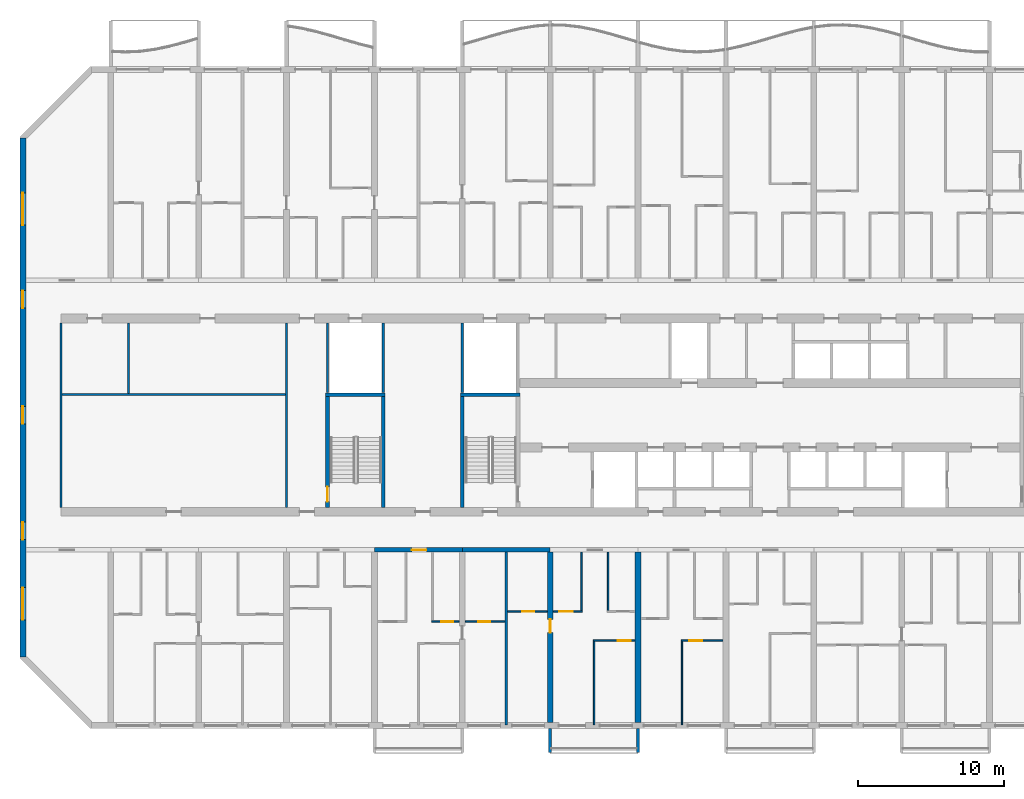
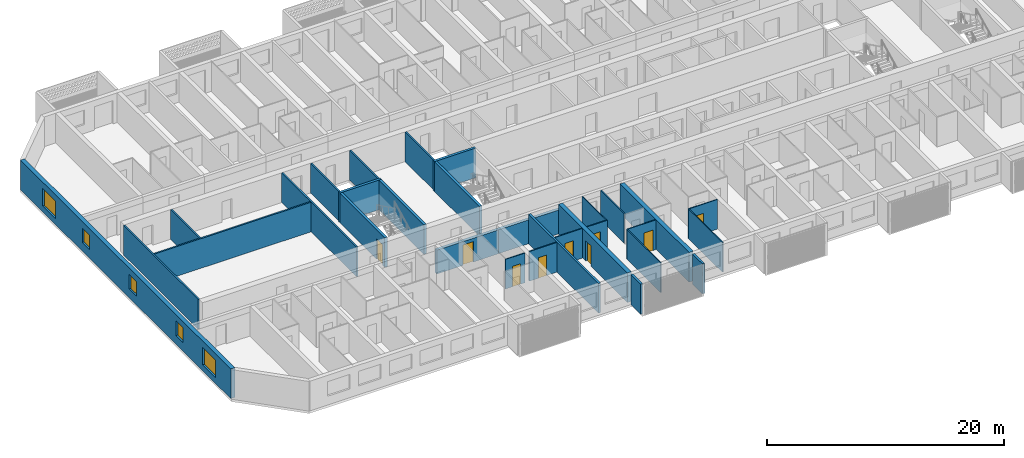
# One storey, part 4 of 44: 30 walls, 9 doors, 5 windows, 14 openings.
"""IFC4 building model written with IfcOpenShell, lengths in metres."""

import ifcopenshell
import ifcopenshell.guid

model = None  # the IFC model being written
_history = None  # IfcOwnerHistory: only IFC2X3 demands one
_inside = {}  # id of a spatial element -> (the spatial element, [elements in it])
_under = {}  # id of a project, library or spatial element -> (it, [spatial elements below it])
_declared = {}  # id of a project -> (the project, [libraries it declares])
_typed = {}  # id of a type object -> (the type object, [elements of that type])
_made_of = {}  # id of a material, layer set ... -> (it, [elements and type objects made of it])


def new_model(schema):
    """Start an empty IFC model of exactly this schema.

    Asked for "IFC4X3", IfcOpenShell would pick the latest addendum, in which some entities
    have other attributes; the version numbers below select the first issue.
    IFC2X3 requires an IfcOwnerHistory on every rooted entity: one is made here for all.
    """
    global model, _history
    if schema == "IFC4X3":
        model = ifcopenshell.file(schema_version=(4, 3, 0, 0))
    else:
        model = ifcopenshell.file(schema=schema)
    _inside.clear()
    _under.clear()
    _declared.clear()
    _typed.clear()
    _made_of.clear()
    _history = None
    if model.schema == "IFC2X3":
        org = make("IfcOrganization", Name="unknown")
        user = make(
            "IfcPersonAndOrganization",
            ThePerson=make("IfcPerson", FamilyName="unknown"),
            TheOrganization=org,
        )
        app = make(
            "IfcApplication",
            ApplicationDeveloper=org,
            Version="unknown",
            ApplicationFullName="unknown",
            ApplicationIdentifier="unknown",
        )
        _history = make(
            "IfcOwnerHistory",
            OwningUser=user,
            OwningApplication=app,
            ChangeAction="ADDED",
            CreationDate=0,
        )
    return model


def make(cls, **values):
    """One entity of the class cls with the attributes given. An attribute that is None is left unset."""
    return model.create_entity(
        cls, **{name: value for name, value in values.items() if value is not None}
    )


def rooted(cls, **values):
    """An entity with a GlobalId (a new one), such as an element, a storey or a relation."""
    return make(cls, GlobalId=ifcopenshell.guid.new(), OwnerHistory=_history, **values)


def si_unit(unit_type, name, prefix=None):
    """IfcSIUnit, for example si_unit("LENGTHUNIT", "METRE", prefix="MILLI")."""
    return make("IfcSIUnit", UnitType=unit_type, Prefix=prefix, Name=name)


def assignment(units):
    """IfcUnitAssignment: the units of a project."""
    return None if units is None else make("IfcUnitAssignment", Units=units)


def point(xyz):
    """IfcCartesianPoint."""
    return None if xyz is None else make("IfcCartesianPoint", Coordinates=xyz)


def direction(xyz):
    """IfcDirection."""
    return None if xyz is None else make("IfcDirection", DirectionRatios=xyz)


def frame(location, z_axis=None, x_axis=None):
    """IfcAxis2Placement3D, a coordinate frame: its origin and axes. An axis left out is left unset."""
    return make(
        "IfcAxis2Placement3D",
        Location=point(location),
        Axis=direction(z_axis),
        RefDirection=direction(x_axis),
    )


def frame_2d(location, x_axis=None):
    """IfcAxis2Placement2D, a coordinate frame in the plane: its origin and x axis."""
    return make(
        "IfcAxis2Placement2D", Location=point(location), RefDirection=direction(x_axis)
    )


def origin():
    """The frame at (0, 0, 0) with its axes left unset."""
    return frame((0.0, 0.0, 0.0))


def place(relative_to, where):
    """IfcLocalPlacement: puts the frame where relative to a parent placement (None: the world)."""
    return make(
        "IfcLocalPlacement", PlacementRelTo=relative_to, RelativePlacement=where
    )


def context(
    kind, dimensions, precision=None, world=None, true_north=None, identifier=None
):
    """IfcGeometricRepresentationContext, for example the 3D "Model" context."""
    return make(
        "IfcGeometricRepresentationContext",
        ContextIdentifier=identifier,
        ContextType=kind,
        CoordinateSpaceDimension=dimensions,
        Precision=precision,
        WorldCoordinateSystem=world,
        TrueNorth=true_north,
    )


def subcontext(parent, identifier, kind, view, scale=None):
    """IfcGeometricRepresentationSubContext, for example "Body" below "Model"."""
    return make(
        "IfcGeometricRepresentationSubContext",
        ContextIdentifier=identifier,
        ContextType=kind,
        ParentContext=parent,
        TargetScale=scale,
        TargetView=view,
    )


def project(units=None, contexts=None):
    """IfcProject with its units and contexts."""
    return rooted(
        "IfcProject",
        Name="project",
        RepresentationContexts=contexts,
        UnitsInContext=assignment(units),
    )


def spatial(cls, under=None, at=None, **own):
    """A site, building, storey or space (cls), placed at a placement, below another one or the project."""
    s = rooted(cls, ObjectPlacement=at, **own)
    if under is not None:
        _under.setdefault(under.id(), (under, []))[1].append(s)
    return s


def polyline(points):
    """IfcPolyline through the points."""
    return make("IfcPolyline", Points=[point(p) for p in points])


def profile(cls, at=None, kind="AREA", **sizes):
    """A parametric profile (cls). Its sizes go by their IFC names, for example OverallWidth=200.0."""
    return make(cls, ProfileType=kind, Position=at, **sizes)


def rectangle(**sizes):
    """IfcRectangleProfileDef."""
    return profile("IfcRectangleProfileDef", **sizes)


def outline(outer, holes=None, kind="AREA"):
    """IfcArbitraryClosedProfileDef: a profile drawn as a closed curve; with holes, ...WithVoids."""
    if holes is None:
        return make("IfcArbitraryClosedProfileDef", ProfileType=kind, OuterCurve=outer)
    return make(
        "IfcArbitraryProfileDefWithVoids",
        ProfileType=kind,
        OuterCurve=outer,
        InnerCurves=holes,
    )


def extrude(swept, where, along, depth):
    """IfcExtrudedAreaSolid: the profile swept, set in the frame where, extruded along a direction by depth."""
    return make(
        "IfcExtrudedAreaSolid",
        SweptArea=swept,
        Position=where,
        ExtrudedDirection=direction(along),
        Depth=depth,
    )


def shape(context_of_items, identifier, shape_type, items):
    """IfcShapeRepresentation: the items that make up one representation, for example the "Body"."""
    return make(
        "IfcShapeRepresentation",
        ContextOfItems=context_of_items,
        RepresentationIdentifier=identifier,
        RepresentationType=shape_type,
        Items=items,
    )


def source(mapping_origin, context_of_items, identifier, shape_type, items):
    """IfcRepresentationMap: a shape defined once, which mapped items show again and again."""
    return make(
        "IfcRepresentationMap",
        MappingOrigin=mapping_origin,
        MappedRepresentation=shape(context_of_items, identifier, shape_type, items),
    )


def transform(
    local_origin,
    x_axis=None,
    y_axis=None,
    z_axis=None,
    scale=None,
    scale2=None,
    scale3=None,
    uniform=True,
):
    """IfcCartesianTransformationOperator3D, or its non-uniform kind. x_axis, y_axis, z_axis: its Axis1, 2, 3."""
    if uniform:
        return make(
            "IfcCartesianTransformationOperator3D",
            Axis1=direction(x_axis),
            Axis2=direction(y_axis),
            LocalOrigin=point(local_origin),
            Scale=scale,
            Axis3=direction(z_axis),
        )
    return make(
        "IfcCartesianTransformationOperator3DnonUniform",
        Axis1=direction(x_axis),
        Axis2=direction(y_axis),
        LocalOrigin=point(local_origin),
        Scale=scale,
        Axis3=direction(z_axis),
        Scale2=scale2,
        Scale3=scale3,
    )


def mapped(mapping_source, mapping_target):
    """IfcMappedItem: shows the shape of a source again, moved by a transform."""
    return make(
        "IfcMappedItem", MappingSource=mapping_source, MappingTarget=mapping_target
    )


def material(Name=None, Category=None):
    """IfcMaterial."""
    return make("IfcMaterial", Name=Name, Category=Category)


def layer(
    of_material, thickness, ventilated=None, Name=None, Category=None, Priority=None
):
    """IfcMaterialLayer: one layer of a wall or slab, of a material (None: an air gap)."""
    return make(
        "IfcMaterialLayer",
        Material=of_material,
        LayerThickness=thickness,
        IsVentilated=ventilated,
        Name=Name,
        Category=Category,
        Priority=Priority,
    )


def layer_set(layers, Name=None):
    """IfcMaterialLayerSet."""
    return make("IfcMaterialLayerSet", MaterialLayers=layers, LayerSetName=Name)


def made_of(thing, what):
    """Note that an element or type object is made of a material, layer set ...; save() writes the relation."""
    if what is not None:
        _made_of.setdefault(what.id(), (what, []))[1].append(thing)
    return thing


def type_object(cls, material=None, **own):
    """A type object (cls), such as IfcWallType, which elements share."""
    return made_of(rooted(cls, **own), material)


def element(
    cls,
    number,
    at=None,
    inside=None,
    cuts=None,
    type_object=None,
    material=None,
    context=None,
    identifier="Body",
    shape_type=None,
    held_by="IfcProductDefinitionShape",
    body=None,
    shapes=None,
    **own,
):
    """One element of the class cls, such as IfcWall. Its Tag is "e" and its number.

    at: its placement. inside: the storey or other place that contains it. cuts: it is an
    opening in that element (IfcRelVoidsElement). A single representation is given by context,
    identifier, shape_type and body (its items); several are given by shapes. held_by: the class
    of the entity that holds the representations. save() writes the other relations.
    """
    e = rooted(cls, Tag="e%d" % number, ObjectPlacement=at, **own)
    if body is not None:
        shapes = [shape(context, identifier, shape_type, body)]
    if shapes is not None:
        e.Representation = make(held_by, Representations=shapes)
    if inside is not None:
        _inside.setdefault(inside.id(), (inside, []))[1].append(e)
    if cuts is not None:
        rooted(
            "IfcRelVoidsElement", RelatingBuildingElement=cuts, RelatedOpeningElement=e
        )
    if type_object is not None:
        _typed.setdefault(type_object.id(), (type_object, []))[1].append(e)
    return made_of(e, material)


def fill(opening, filler):
    """IfcRelFillsElement: the door or window that sits in an opening."""
    return rooted(
        "IfcRelFillsElement",
        RelatingOpeningElement=opening,
        RelatedBuildingElement=filler,
    )


def aggregate(whole, parts):
    """IfcRelAggregates: a whole, such as a stair, and the parts it consists of."""
    return rooted("IfcRelAggregates", RelatingObject=whole, RelatedObjects=parts)


def save(model, path):
    """Write the relations noted so far, then the file.

    IfcRelAggregates (storeys below a building ...), IfcRelContainedInSpatialStructure (elements
    in a storey), IfcRelDefinesByType, IfcRelAssociatesMaterial and IfcRelDeclares: one each for
    every whole, place, type object, material and project.
    """
    for whole, parts in _under.values():
        aggregate(whole, parts)
    for where, things in _inside.values():
        rooted(
            "IfcRelContainedInSpatialStructure",
            RelatedElements=things,
            RelatingStructure=where,
        )
    for kind, things in _typed.values():
        rooted("IfcRelDefinesByType", RelatedObjects=things, RelatingType=kind)
    for what, things in _made_of.values():
        rooted("IfcRelAssociatesMaterial", RelatedObjects=things, RelatingMaterial=what)
    for by, libraries in _declared.values():
        rooted("IfcRelDeclares", RelatingContext=by, RelatedDefinitions=libraries)
    model.write(path)


model = new_model("IFC4")

# Units and contexts
model_context = context("Model", 3, precision=1e-05, world=origin(), true_north=direction((0.0, 1.0)))
body_context = subcontext(model_context, "Body", "Model", "MODEL_VIEW")
ifc_project = project(units=[si_unit("LENGTHUNIT", "METRE"), si_unit("AREAUNIT", "SQUARE_METRE"), si_unit("VOLUMEUNIT", "CUBIC_METRE"), si_unit("PLANEANGLEUNIT", "RADIAN"), si_unit("MASSUNIT", "GRAM", prefix="KILO")], contexts=[model_context])

# Site, building, storey
site_placement = place(None, origin())
site = spatial("IfcSite", under=ifc_project, at=site_placement, CompositionType="ELEMENT")
building_placement = place(site_placement, origin())
building = spatial("IfcBuilding", under=site, at=building_placement, Name="Poui Terraces", CompositionType="ELEMENT")
storey_placement = place(building_placement, frame((0.0, 0.0, 30.0)))
storey = spatial("IfcBuildingStorey", under=building, at=storey_placement, Name="L07", CompositionType="ELEMENT", Elevation=30.0)

# Walls
ifc_material_1 = material(Name="Fire-rated plasterboard wall")
ifc_layer_1 = layer(ifc_material_1, 0.14990234375)
ifc_layer_set_1 = layer_set([ifc_layer_1], Name="Fire-rated plasterboard wall")
wall_type_1 = type_object("IfcWallType", Name="CORRIDOR WALL 150", PredefinedType="PARTITIONING", material=ifc_layer_set_1)
for number, where, z_axis, x_axis, name in (
    (1, (2.60009765625, 14.909912109375, 0.0), (0.0, 0.0, 1.0), (0.0, 1.0, 0.0), "CORRIDOR WALL 150"),
    (2, (18.0, 14.909912109375, 0.0), (0.0, 0.0, 1.0), (0.0, 1.0, 0.0), "CORRIDOR WALL 150"),
):
    element("IfcWall", number, at=place(storey_placement, frame(where, z_axis=z_axis, x_axis=x_axis)), inside=storey, type_object=wall_type_1, Name=name, PredefinedType="PARTITIONING", context=body_context, shape_type="SweptSolid", body=[
        extrude(rectangle(XDim=12.580078125, YDim=0.14990234375, at=frame_2d((6.2900390625, 0.0))), origin(), (0.0, 0.0, 1.0), 3.050048828125),
    ])

# Wall, opening, door
ifc_material_2 = material(Name="Concrete 80 MPa", Category="concrete")
ifc_layer_2 = layer(ifc_material_2, 0.300048828125)
ifc_layer_set_2 = layer_set([ifc_layer_2], Name="Concrete 80 MPa")
wall_type_2 = type_object("IfcWallType", Name="CORRIDOR WALL 300 80MPa", PredefinedType="SHEAR", material=ifc_layer_set_2)
wall_1_placement = place(storey_placement, frame((24.0, 12.0, 0.0), z_axis=(0.0, 0.0, 1.0), x_axis=(1.0, 0.0, 0.0)))
wall_1 = element("IfcWall", 3, at=wall_1_placement, inside=storey, type_object=wall_type_2, Name="CORRIDOR WALL LINE B BAY 5", PredefinedType="SHEAR", context=body_context, shape_type="SweptSolid", body=[
    extrude(rectangle(XDim=6.0, YDim=0.300048828125, at=frame_2d((3.0, 0.0))), origin(), (0.0, 0.0, 1.0), 2.449951171875),
])
opening_1_placement = place(wall_1_placement, frame((2.550048828125, 0.0, 0.0)))
opening_1 = element("IfcOpeningElement", 4, at=opening_1_placement, cuts=wall_1, Name="Opening FD30S", PredefinedType="OPENING", context=body_context, shape_type="SweptSolid", body=[
    extrude(rectangle(XDim=1.0, YDim=2.10009765625, at=frame_2d((0.5, 1.050048828125))), frame((0.0, 0.16015625, 0.0), z_axis=(0.0, -1.0, 0.0), x_axis=(1.0, 0.0, 0.0)), (0.0, 0.0, 1.0), 0.320068359375),
])
ifc_material_3 = material(Name="Steel fire door", Category="steel")
door_type_1 = type_object("IfcDoorType", Name="FLAT ENTRANCE DOOR 1000 X 2100", OperationType="NOTDEFINED", PredefinedType="DOOR", material=ifc_material_3)
door_1_placement = place(opening_1_placement, frame((1.0, 0.0, 0.0), z_axis=(0.0, 0.0, 1.0), x_axis=(-1.0, 0.0, 0.0)))
door_1 = element("IfcDoor", 5, at=door_1_placement, inside=storey, type_object=door_type_1, Name="FLAT ENTRANCE DOOR 106", OperationType="SINGLE_SWING_LEFT", OverallHeight=2.10009765625, OverallWidth=1.0, PredefinedType="DOOR", context=body_context, shape_type="SweptSolid", body=[
    extrude(rectangle(XDim=1.0, YDim=2.10009765625, at=frame_2d((0.5, 1.050048828125))), frame((0.0, 0.02490234375, 0.0), z_axis=(0.0, -1.0, 0.0), x_axis=(1.0, 0.0, 0.0)), (0.0, 0.0, 1.0), 0.050048828125),
])
fill(opening_1, door_1)

# Wall
wall_2_placement = place(storey_placement, frame((30.0, 12.0, 0.0), z_axis=(0.0, 0.0, 1.0), x_axis=(1.0, 0.0, 0.0)))
element("IfcWall", 6, at=wall_2_placement, inside=storey, type_object=wall_type_2, Name="CORRIDOR WALL LINE B BAY 6", PredefinedType="SHEAR", context=body_context, shape_type="SweptSolid", body=[
    extrude(rectangle(XDim=6.0, YDim=0.300048828125, at=frame_2d((3.0, 0.0))), origin(), (0.0, 0.0, 1.0), 2.449951171875),
])

# Wall, opening, door
ifc_layer_3 = layer(ifc_material_2, 0.39990234375)
ifc_layer_set_3 = layer_set([ifc_layer_3], Name="Concrete 80 MPa")
wall_type_3 = type_object("IfcWallType", Name="CROSS WALL 400 80MPa", PredefinedType="SHEAR", material=ifc_layer_set_3)
wall_3_placement = place(storey_placement, frame((36.0, 0.199951171875, 0.0), z_axis=(0.0, 0.0, 1.0), x_axis=(0.0, 1.0, 0.0)))
wall_3 = element("IfcWall", 7, at=wall_3_placement, inside=storey, type_object=wall_type_3, Name="CROSS WALL LINE 7 SOUTH", PredefinedType="SHEAR", context=body_context, shape_type="SweptSolid", body=[
    extrude(rectangle(XDim=11.650146484375, YDim=0.39990234375, at=frame_2d((5.8251953125, 0.0))), origin(), (0.0, 0.0, 1.0), 3.050048828125),
])
opening_2_placement = place(wall_3_placement, frame((6.14990234375, 0.0, 0.0)))
opening_2 = element("IfcOpeningElement", 8, at=opening_2_placement, cuts=wall_3, Name="Opening D90", PredefinedType="OPENING", context=body_context, shape_type="SweptSolid", body=[
    extrude(rectangle(XDim=0.89990234375, YDim=2.10009765625, at=frame_2d((0.449951171875, 1.050048828125))), frame((0.0, 0.2099609375, 0.0), z_axis=(0.0, -1.0, 0.0), x_axis=(1.0, 0.0, 0.0)), (0.0, 0.0, 1.0), 0.419921875),
])
ifc_material_4 = material(Name="Solid core timber door", Category="wood")
door_type_2 = type_object("IfcDoorType", Name="INTERNAL DOOR 900 X 2100", OperationType="NOTDEFINED", PredefinedType="DOOR", material=ifc_material_4)
door_2_placement = place(opening_2_placement, origin())
door_2 = element("IfcDoor", 9, at=door_2_placement, inside=storey, type_object=door_type_2, Name="INTERNAL DOOR 111", OperationType="SINGLE_SWING_RIGHT", OverallHeight=2.10009765625, OverallWidth=0.89990234375, PredefinedType="DOOR", context=body_context, shape_type="SweptSolid", body=[
    extrude(rectangle(XDim=0.89990234375, YDim=2.10009765625, at=frame_2d((0.449951171875, 1.050048828125))), frame((0.0, 0.02490234375, 0.0), z_axis=(0.0, -1.0, 0.0), x_axis=(1.0, 0.0, 0.0)), (0.0, 0.0, 1.0), 0.050048828125),
])
fill(opening_2, door_2)

# Wall
wall_4_placement = place(storey_placement, frame((42.0, 0.199951171875, 0.0), z_axis=(0.0, 0.0, 1.0), x_axis=(0.0, 1.0, 0.0)))
element("IfcWall", 10, at=wall_4_placement, inside=storey, type_object=wall_type_3, Name="CROSS WALL LINE 8 SOUTH", PredefinedType="SHEAR", context=body_context, shape_type="SweptSolid", body=[
    extrude(rectangle(XDim=11.650146484375, YDim=0.39990234375, at=frame_2d((5.8251953125, 0.0))), origin(), (0.0, 0.0, 1.0), 3.050048828125),
])

# Wall, openings, windows
ifc_layer_4 = layer(ifc_material_2, 0.39990234375)
ifc_layer_set_4 = layer_set([ifc_layer_4], Name="Concrete 80 MPa")
wall_type_4 = type_object("IfcWallType", Name="END WALL 400 80MPa", PredefinedType="SHEAR", material=ifc_layer_set_4)
wall_5_placement = place(storey_placement, frame((0.0, 4.682861328125, 0.0), z_axis=(0.0, 0.0, 1.0), x_axis=(0.0, 1.0, 0.0)))
wall_5 = element("IfcWall", 11, at=wall_5_placement, inside=storey, type_object=wall_type_4, Name="END WALL WEST", PredefinedType="SHEAR", context=body_context, shape_type="SweptSolid", body=[
    extrude(rectangle(XDim=35.434326171875, YDim=0.39990234375, at=frame_2d((17.71728515625, 0.0))), origin(), (0.0, 0.0, 1.0), 3.050048828125),
])
opening_3_placement = place(wall_5_placement, frame((23.817138671875, 0.0, 0.89990234375)))
opening_3 = element("IfcOpeningElement", 12, at=opening_3_placement, cuts=wall_5, Name="Opening W2", PredefinedType="OPENING", context=body_context, shape_type="SweptSolid", body=[
    extrude(rectangle(XDim=1.199951171875, YDim=1.5, at=frame_2d((0.60009765625, 0.75))), frame((0.0, 0.2099609375, 0.0), z_axis=(0.0, -1.0, 0.0), x_axis=(1.0, 0.0, 0.0)), (0.0, 0.0, 1.0), 0.419921875),
])
opening_4_placement = place(wall_5_placement, frame((8.01708984375, 0.0, 0.89990234375)))
opening_4 = element("IfcOpeningElement", 13, at=opening_4_placement, cuts=wall_5, Name="Opening W2", PredefinedType="OPENING", context=body_context, shape_type="SweptSolid", body=[
    extrude(rectangle(XDim=1.199951171875, YDim=1.5, at=frame_2d((0.60009765625, 0.75))), frame((0.0, 0.2099609375, 0.0), z_axis=(0.0, -1.0, 0.0), x_axis=(1.0, 0.0, 0.0)), (0.0, 0.0, 1.0), 0.419921875),
])
opening_5_placement = place(wall_5_placement, frame((15.917236328125, 0.0, 0.89990234375)))
opening_5 = element("IfcOpeningElement", 14, at=opening_5_placement, cuts=wall_5, Name="Opening W2", PredefinedType="OPENING", context=body_context, shape_type="SweptSolid", body=[
    extrude(rectangle(XDim=1.199951171875, YDim=1.5, at=frame_2d((0.60009765625, 0.75))), frame((0.0, 0.2099609375, 0.0), z_axis=(0.0, -1.0, 0.0), x_axis=(1.0, 0.0, 0.0)), (0.0, 0.0, 1.0), 0.419921875),
])
opening_6_placement = place(wall_5_placement, frame((29.493408203125, 0.0, 0.60009765625)))
opening_6 = element("IfcOpeningElement", 15, at=opening_6_placement, cuts=wall_5, Name="Opening W3", PredefinedType="OPENING", context=body_context, shape_type="SweptSolid", body=[
    extrude(rectangle(XDim=2.199951171875, YDim=1.800048828125, at=frame_2d((1.10009765625, 0.89990234375))), frame((0.0, 0.2099609375, 0.0), z_axis=(0.0, -1.0, 0.0), x_axis=(1.0, 0.0, 0.0)), (0.0, 0.0, 1.0), 0.419921875),
])
opening_7_placement = place(wall_5_placement, frame((2.541015625, 0.0, 0.60009765625)))
opening_7 = element("IfcOpeningElement", 16, at=opening_7_placement, cuts=wall_5, Name="Opening W3", PredefinedType="OPENING", context=body_context, shape_type="SweptSolid", body=[
    extrude(rectangle(XDim=2.199951171875, YDim=1.800048828125, at=frame_2d((1.10009765625, 0.89990234375))), frame((0.0, 0.2099609375, 0.0), z_axis=(0.0, -1.0, 0.0), x_axis=(1.0, 0.0, 0.0)), (0.0, 0.0, 1.0), 0.419921875),
])
ifc_material_5 = material(Name="Clear glass in aluminium frame", Category="aluminium")
window_type_1 = type_object("IfcWindowType", Name="WINDOW 1200X1500", PartitioningType="SINGLE_PANEL", PredefinedType="WINDOW", material=ifc_material_5)
window_1_placement = place(opening_3_placement, origin())
window_1 = element("IfcWindow", 17, at=window_1_placement, inside=storey, type_object=window_type_1, Name="W2 WINDOW", OverallHeight=1.5, OverallWidth=1.199951171875, PartitioningType="SINGLE_PANEL", PredefinedType="WINDOW", context=body_context, shape_type="SweptSolid", body=[
    extrude(rectangle(XDim=1.199951171875, YDim=1.5, at=frame_2d((0.60009765625, 0.75))), frame((0.0, 0.030029296875, 0.0), z_axis=(0.0, -1.0, 0.0), x_axis=(1.0, 0.0, 0.0)), (0.0, 0.0, 1.0), 0.06005859375),
])
fill(opening_3, window_1)
window_2_placement = place(opening_4_placement, origin())
window_2 = element("IfcWindow", 18, at=window_2_placement, inside=storey, type_object=window_type_1, Name="W2 WINDOW", OverallHeight=1.5, OverallWidth=1.199951171875, PartitioningType="SINGLE_PANEL", PredefinedType="WINDOW", context=body_context, shape_type="SweptSolid", body=[
    extrude(rectangle(XDim=1.199951171875, YDim=1.5, at=frame_2d((0.60009765625, 0.75))), frame((0.0, 0.030029296875, 0.0), z_axis=(0.0, -1.0, 0.0), x_axis=(1.0, 0.0, 0.0)), (0.0, 0.0, 1.0), 0.06005859375),
])
fill(opening_4, window_2)
window_3_placement = place(opening_5_placement, origin())
window_3 = element("IfcWindow", 19, at=window_3_placement, inside=storey, type_object=window_type_1, Name="W2 WINDOW", OverallHeight=1.5, OverallWidth=1.199951171875, PartitioningType="SINGLE_PANEL", PredefinedType="WINDOW", context=body_context, shape_type="SweptSolid", body=[
    extrude(rectangle(XDim=1.199951171875, YDim=1.5, at=frame_2d((0.60009765625, 0.75))), frame((0.0, 0.030029296875, 0.0), z_axis=(0.0, -1.0, 0.0), x_axis=(1.0, 0.0, 0.0)), (0.0, 0.0, 1.0), 0.06005859375),
])
fill(opening_5, window_3)
window_type_2 = type_object("IfcWindowType", Name="WINDOW 2200X1800", PartitioningType="DOUBLE_PANEL_HORIZONTAL", PredefinedType="WINDOW", material=ifc_material_5)
window_4_placement = place(opening_6_placement, origin())
window_4 = element("IfcWindow", 20, at=window_4_placement, inside=storey, type_object=window_type_2, Name="W3 WINDOW", OverallHeight=1.800048828125, OverallWidth=2.199951171875, PartitioningType="DOUBLE_PANEL_HORIZONTAL", PredefinedType="WINDOW", context=body_context, shape_type="SweptSolid", body=[
    extrude(rectangle(XDim=2.199951171875, YDim=1.800048828125, at=frame_2d((1.10009765625, 0.89990234375))), frame((0.0, 0.030029296875, 0.0), z_axis=(0.0, -1.0, 0.0), x_axis=(1.0, 0.0, 0.0)), (0.0, 0.0, 1.0), 0.06005859375),
])
fill(opening_6, window_4)
window_5_placement = place(opening_7_placement, origin())
window_5 = element("IfcWindow", 21, at=window_5_placement, inside=storey, type_object=window_type_2, Name="W3 WINDOW", OverallHeight=1.800048828125, OverallWidth=2.199951171875, PartitioningType="DOUBLE_PANEL_HORIZONTAL", PredefinedType="WINDOW", context=body_context, shape_type="SweptSolid", body=[
    extrude(rectangle(XDim=2.199951171875, YDim=1.800048828125, at=frame_2d((1.10009765625, 0.89990234375))), frame((0.0, 0.030029296875, 0.0), z_axis=(0.0, -1.0, 0.0), x_axis=(1.0, 0.0, 0.0)), (0.0, 0.0, 1.0), 0.06005859375),
])
fill(opening_7, window_5)

# Wall, opening, door
ifc_material_6 = material(Name="Plasterboard partition")
ifc_layer_5 = layer(ifc_material_6, 0.10009765625)
ifc_layer_set_5 = layer_set([ifc_layer_5], Name="Plasterboard partition")
wall_type_5 = type_object("IfcWallType", Name="FLAT PARTITION 100", PredefinedType="PARTITIONING", material=ifc_layer_set_5)
wall_6_placement = place(storey_placement, frame((38.949951171875, 5.800048828125, 0.0), z_axis=(0.0, 0.0, 1.0), x_axis=(1.0, 0.0, 0.0)))
wall_6 = element("IfcWall", 22, at=wall_6_placement, inside=storey, type_object=wall_type_5, Name="FLAT PARTITION 100", PredefinedType="PARTITIONING", context=body_context, shape_type="SweptSolid", body=[
    extrude(rectangle(XDim=2.840087890625, YDim=0.10009765625, at=frame_2d((1.419921875, 0.0))), origin(), (0.0, 0.0, 1.0), 3.050048828125),
])
opening_8_placement = place(wall_6_placement, frame((1.64990234375, 0.0, 0.0)))
opening_8 = element("IfcOpeningElement", 23, at=opening_8_placement, cuts=wall_6, Name="Opening D90", PredefinedType="OPENING", context=body_context, shape_type="SweptSolid", body=[
    extrude(rectangle(XDim=0.89990234375, YDim=2.10009765625, at=frame_2d((0.449951171875, 1.050048828125))), frame((0.0, 0.06005859375, 0.0), z_axis=(0.0, -1.0, 0.0), x_axis=(1.0, 0.0, 0.0)), (0.0, 0.0, 1.0), 0.1201171875),
])
door_3_placement = place(opening_8_placement, origin())
door_3 = element("IfcDoor", 24, at=door_3_placement, inside=storey, type_object=door_type_2, Name="INTERNAL DOOR 115", OperationType="SINGLE_SWING_LEFT", OverallHeight=2.10009765625, OverallWidth=0.89990234375, PredefinedType="DOOR", context=body_context, shape_type="SweptSolid", body=[
    extrude(rectangle(XDim=0.89990234375, YDim=2.10009765625, at=frame_2d((0.449951171875, 1.050048828125))), frame((0.0, 0.02490234375, 0.0), z_axis=(0.0, -1.0, 0.0), x_axis=(1.0, 0.0, 0.0)), (0.0, 0.0, 1.0), 0.050048828125),
])
fill(opening_8, door_3)

wall_7_placement = place(storey_placement, frame((44.949951171875, 5.800048828125, 0.0), z_axis=(0.0, 0.0, 1.0), x_axis=(1.0, 0.0, 0.0)))
wall_7 = element("IfcWall", 25, at=wall_7_placement, inside=storey, type_object=wall_type_5, Name="FLAT PARTITION 100", PredefinedType="PARTITIONING", context=body_context, shape_type="SweptSolid", body=[
    extrude(rectangle(XDim=2.840087890625, YDim=0.10009765625, at=frame_2d((1.419921875, 0.0))), origin(), (0.0, 0.0, 1.0), 3.050048828125),
])
opening_9_placement = place(wall_7_placement, frame((0.550048828125, 0.0, 0.0)))
opening_9 = element("IfcOpeningElement", 26, at=opening_9_placement, cuts=wall_7, Name="Opening D90", PredefinedType="OPENING", context=body_context, shape_type="SweptSolid", body=[
    extrude(rectangle(XDim=0.89990234375, YDim=2.10009765625, at=frame_2d((0.449951171875, 1.050048828125))), frame((0.0, 0.06005859375, 0.0), z_axis=(0.0, -1.0, 0.0), x_axis=(1.0, 0.0, 0.0)), (0.0, 0.0, 1.0), 0.1201171875),
])
door_4_placement = place(opening_9_placement, origin())
door_4 = element("IfcDoor", 27, at=door_4_placement, inside=storey, type_object=door_type_2, Name="INTERNAL DOOR 118", OperationType="SINGLE_SWING_RIGHT", OverallHeight=2.10009765625, OverallWidth=0.89990234375, PredefinedType="DOOR", context=body_context, shape_type="SweptSolid", body=[
    extrude(rectangle(XDim=0.89990234375, YDim=2.10009765625, at=frame_2d((0.449951171875, 1.050048828125))), frame((0.0, 0.02490234375, 0.0), z_axis=(0.0, -1.0, 0.0), x_axis=(1.0, 0.0, 0.0)), (0.0, 0.0, 1.0), 0.050048828125),
])
fill(opening_9, door_4)

wall_8_placement = place(storey_placement, frame((27.89990234375, 7.10009765625, 0.0), z_axis=(0.0, 0.0, 1.0), x_axis=(1.0, 0.0, 0.0)))
wall_8 = element("IfcWall", 28, at=wall_8_placement, inside=storey, type_object=wall_type_5, Name="FLAT PARTITION 100", PredefinedType="PARTITIONING", context=body_context, shape_type="SweptSolid", body=[
    extrude(rectangle(XDim=1.89013671875, YDim=0.10009765625, at=frame_2d((0.945068359375, 0.0))), origin(), (0.0, 0.0, 1.0), 3.050048828125),
])
opening_10_placement = place(wall_8_placement, frame((0.675048828125, 0.0, 0.0)))
opening_10 = element("IfcOpeningElement", 29, at=opening_10_placement, cuts=wall_8, Name="Opening D80", PredefinedType="OPENING", context=body_context, shape_type="SweptSolid", body=[
    extrude(rectangle(XDim=0.800048828125, YDim=2.10009765625, at=frame_2d((0.39990234375, 1.050048828125))), frame((0.0, 0.06005859375, 0.0), z_axis=(0.0, -1.0, 0.0), x_axis=(1.0, 0.0, 0.0)), (0.0, 0.0, 1.0), 0.1201171875),
])
door_type_3 = type_object("IfcDoorType", Name="BATHROOM, LAUNDRY AND STORE DOOR 800 X 2100", OperationType="NOTDEFINED", PredefinedType="DOOR", material=ifc_material_4)
door_5_placement = place(opening_10_placement, origin())
door_5 = element("IfcDoor", 30, at=door_5_placement, inside=storey, type_object=door_type_3, Name="BATHROOM, LAUNDRY AND STORE DOOR 108", OperationType="SINGLE_SWING_LEFT", OverallHeight=2.10009765625, OverallWidth=0.800048828125, PredefinedType="DOOR", context=body_context, shape_type="SweptSolid", body=[
    extrude(rectangle(XDim=0.800048828125, YDim=2.10009765625, at=frame_2d((0.39990234375, 1.050048828125))), frame((0.0, 0.02490234375, 0.0), z_axis=(0.0, -1.0, 0.0), x_axis=(1.0, 0.0, 0.0)), (0.0, 0.0, 1.0), 0.050048828125),
])
fill(opening_10, door_5)

wall_9_placement = place(storey_placement, frame((30.2099609375, 7.10009765625, 0.0), z_axis=(0.0, 0.0, 1.0), x_axis=(1.0, 0.0, 0.0)))
wall_9 = element("IfcWall", 31, at=wall_9_placement, inside=storey, type_object=wall_type_5, Name="FLAT PARTITION 100", PredefinedType="PARTITIONING", context=body_context, shape_type="SweptSolid", body=[
    extrude(rectangle(XDim=2.68994140625, YDim=0.10009765625, at=frame_2d((1.344970703125, 0.0))), origin(), (0.0, 0.0, 1.0), 3.050048828125),
])
opening_11_placement = place(wall_9_placement, frame((0.889892578125, 0.0, 0.0)))
opening_11 = element("IfcOpeningElement", 32, at=opening_11_placement, cuts=wall_9, Name="Opening D80", PredefinedType="OPENING", context=body_context, shape_type="SweptSolid", body=[
    extrude(rectangle(XDim=0.800048828125, YDim=2.10009765625, at=frame_2d((0.39990234375, 1.050048828125))), frame((0.0, 0.06005859375, 0.0), z_axis=(0.0, -1.0, 0.0), x_axis=(1.0, 0.0, 0.0)), (0.0, 0.0, 1.0), 0.1201171875),
])
door_6_placement = place(opening_11_placement, origin())
door_6 = element("IfcDoor", 33, at=door_6_placement, inside=storey, type_object=door_type_3, Name="BATHROOM, LAUNDRY AND STORE DOOR 104", OperationType="SINGLE_SWING_RIGHT", OverallHeight=2.10009765625, OverallWidth=0.800048828125, PredefinedType="DOOR", context=body_context, shape_type="SweptSolid", body=[
    extrude(rectangle(XDim=0.800048828125, YDim=2.10009765625, at=frame_2d((0.39990234375, 1.050048828125))), frame((0.0, 0.02490234375, 0.0), z_axis=(0.0, -1.0, 0.0), x_axis=(1.0, 0.0, 0.0)), (0.0, 0.0, 1.0), 0.050048828125),
])
fill(opening_11, door_6)

wall_10_placement = place(storey_placement, frame((33.10009765625, 7.800048828125, 0.0), z_axis=(0.0, 0.0, 1.0), x_axis=(1.0, 0.0, 0.0)))
wall_10 = element("IfcWall", 34, at=wall_10_placement, inside=storey, type_object=wall_type_5, Name="FLAT PARTITION 100", PredefinedType="PARTITIONING", context=body_context, shape_type="SweptSolid", body=[
    extrude(rectangle(XDim=2.68994140625, YDim=0.10009765625, at=frame_2d((1.344970703125, 0.0))), origin(), (0.0, 0.0, 1.0), 3.050048828125),
])
opening_12_placement = place(wall_10_placement, frame((1.0, 0.0, 0.0)))
opening_12 = element("IfcOpeningElement", 35, at=opening_12_placement, cuts=wall_10, Name="Opening D80", PredefinedType="OPENING", context=body_context, shape_type="SweptSolid", body=[
    extrude(rectangle(XDim=0.800048828125, YDim=2.10009765625, at=frame_2d((0.39990234375, 1.050048828125))), frame((0.0, 0.06005859375, 0.0), z_axis=(0.0, -1.0, 0.0), x_axis=(1.0, 0.0, 0.0)), (0.0, 0.0, 1.0), 0.1201171875),
])
door_7_placement = place(opening_12_placement, origin())
door_7 = element("IfcDoor", 36, at=door_7_placement, inside=storey, type_object=door_type_3, Name="BATHROOM, LAUNDRY AND STORE DOOR 110", OperationType="SINGLE_SWING_LEFT", OverallHeight=2.10009765625, OverallWidth=0.800048828125, PredefinedType="DOOR", context=body_context, shape_type="SweptSolid", body=[
    extrude(rectangle(XDim=0.800048828125, YDim=2.10009765625, at=frame_2d((0.39990234375, 1.050048828125))), frame((0.0, 0.02490234375, 0.0), z_axis=(0.0, -1.0, 0.0), x_axis=(1.0, 0.0, 0.0)), (0.0, 0.0, 1.0), 0.050048828125),
])
fill(opening_12, door_7)

wall_11_placement = place(storey_placement, frame((36.2099609375, 7.800048828125, 0.0), z_axis=(0.0, 0.0, 1.0), x_axis=(1.0, 0.0, 0.0)))
wall_11 = element("IfcWall", 37, at=wall_11_placement, inside=storey, type_object=wall_type_5, Name="FLAT PARTITION 100", PredefinedType="PARTITIONING", context=body_context, shape_type="SweptSolid", body=[
    extrude(rectangle(XDim=1.989990234375, YDim=0.10009765625, at=frame_2d((0.9951171875, 0.0))), origin(), (0.0, 0.0, 1.0), 3.050048828125),
])
opening_13_placement = place(wall_11_placement, frame((0.4150390625, 0.0, 0.0)))
opening_13 = element("IfcOpeningElement", 38, at=opening_13_placement, cuts=wall_11, Name="Opening D90", PredefinedType="OPENING", context=body_context, shape_type="SweptSolid", body=[
    extrude(rectangle(XDim=0.89990234375, YDim=2.10009765625, at=frame_2d((0.449951171875, 1.050048828125))), frame((0.0, 0.06005859375, 0.0), z_axis=(0.0, -1.0, 0.0), x_axis=(1.0, 0.0, 0.0)), (0.0, 0.0, 1.0), 0.1201171875),
])
door_8_placement = place(opening_13_placement, origin())
door_8 = element("IfcDoor", 39, at=door_8_placement, inside=storey, type_object=door_type_2, Name="INTERNAL DOOR 112", OperationType="SINGLE_SWING_LEFT", OverallHeight=2.10009765625, OverallWidth=0.89990234375, PredefinedType="DOOR", context=body_context, shape_type="SweptSolid", body=[
    extrude(rectangle(XDim=0.89990234375, YDim=2.10009765625, at=frame_2d((0.449951171875, 1.050048828125))), frame((0.0, 0.02490234375, 0.0), z_axis=(0.0, -1.0, 0.0), x_axis=(1.0, 0.0, 0.0)), (0.0, 0.0, 1.0), 0.050048828125),
])
fill(opening_13, door_8)

# Walls
wall_12_placement = place(storey_placement, frame((38.14990234375, 7.85009765625, 0.0), z_axis=(0.0, 0.0, 1.0), x_axis=(0.0, 1.0, 0.0)))
element("IfcWall", 40, at=wall_12_placement, inside=storey, type_object=wall_type_5, Name="FLAT PARTITION 100", PredefinedType="PARTITIONING", context=body_context, shape_type="SweptSolid", body=[
    extrude(rectangle(XDim=3.989990234375, YDim=0.10009765625, at=frame_2d((1.9951171875, 0.0))), origin(), (0.0, 0.0, 1.0), 3.050048828125),
])
wall_13_placement = place(storey_placement, frame((39.0, 0.06005859375, 0.0), z_axis=(0.0, 0.0, 1.0), x_axis=(0.0, 1.0, 0.0)))
element("IfcWall", 41, at=wall_13_placement, inside=storey, type_object=wall_type_5, Name="FLAT PARTITION 100", PredefinedType="PARTITIONING", context=body_context, shape_type="SweptSolid", body=[
    extrude(rectangle(XDim=5.68994140625, YDim=0.10009765625, at=frame_2d((2.844970703125, 0.0))), origin(), (0.0, 0.0, 1.0), 3.050048828125),
])
wall_14_placement = place(storey_placement, frame((39.949951171875, 7.85009765625, 0.0), z_axis=(0.0, 0.0, 1.0), x_axis=(0.0, 1.0, 0.0)))
element("IfcWall", 42, at=wall_14_placement, inside=storey, type_object=wall_type_5, Name="FLAT PARTITION 100", PredefinedType="PARTITIONING", context=body_context, shape_type="SweptSolid", body=[
    extrude(rectangle(XDim=3.989990234375, YDim=0.10009765625, at=frame_2d((1.9951171875, 0.0))), origin(), (0.0, 0.0, 1.0), 3.050048828125),
])
wall_15_placement = place(storey_placement, frame((45.0, 0.06005859375, 0.0), z_axis=(0.0, 0.0, 1.0), x_axis=(0.0, 1.0, 0.0)))
element("IfcWall", 43, at=wall_15_placement, inside=storey, type_object=wall_type_5, Name="FLAT PARTITION 100", PredefinedType="PARTITIONING", context=body_context, shape_type="SweptSolid", body=[
    extrude(rectangle(XDim=5.68994140625, YDim=0.10009765625, at=frame_2d((2.844970703125, 0.0))), origin(), (0.0, 0.0, 1.0), 3.050048828125),
])
ifc_material_7 = material(Name="Fire-rated masonry wall", Category="masonry")
ifc_layer_6 = layer(ifc_material_7, 0.199951171875)
ifc_layer_set_6 = layer_set([ifc_layer_6], Name="Fire-rated masonry wall")
wall_type_6 = type_object("IfcWallType", Name="FLAT PARTY WALL 200", PredefinedType="PARTITIONING", material=ifc_layer_set_6)
wall_16_placement = place(storey_placement, frame((33.0, 0.06005859375, 0.0), z_axis=(0.0, 0.0, 1.0), x_axis=(0.0, 1.0, 0.0)))
element("IfcWall", 44, at=wall_16_placement, inside=storey, type_object=wall_type_6, Name="FLAT PARTY WALL 200", PredefinedType="PARTITIONING", context=body_context, shape_type="SweptSolid", body=[
    extrude(rectangle(XDim=11.780029296875, YDim=0.199951171875, at=frame_2d((5.89013671875, 0.0))), origin(), (0.0, 0.0, 1.0), 3.050048828125),
])
ifc_layer_7 = layer(ifc_material_6, 0.14990234375)
ifc_layer_set_7 = layer_set([ifc_layer_7], Name="Plasterboard partition")
wall_type_7 = type_object("IfcWallType", Name="PARTITION WALL 150", PredefinedType="PARTITIONING", material=ifc_layer_set_7)
wall_17_placement = place(storey_placement, frame((2.675048828125, 22.60009765625, 0.0), z_axis=(0.0, 0.0, 1.0), x_axis=(1.0, 0.0, 0.0)))
element("IfcWall", 45, at=wall_17_placement, inside=storey, type_object=wall_type_7, Name="PARTITION WALL 150", PredefinedType="PARTITIONING", context=body_context, shape_type="SweptSolid", body=[
    extrude(rectangle(XDim=15.25, YDim=0.14990234375, at=frame_2d((7.625, 0.0))), origin(), (0.0, 0.0, 1.0), 3.050048828125),
])
wall_18_placement = place(storey_placement, frame((7.199951171875, 22.675048828125, 0.0), z_axis=(0.0, 0.0, 1.0), x_axis=(0.0, 1.0, 0.0)))
element("IfcWall", 46, at=wall_18_placement, inside=storey, type_object=wall_type_7, Name="PARTITION WALL 150", PredefinedType="PARTITIONING", context=body_context, shape_type="SweptSolid", body=[
    extrude(rectangle(XDim=4.81494140625, YDim=0.14990234375, at=frame_2d((2.407470703125, 0.0))), origin(), (0.0, 0.0, 1.0), 3.050048828125),
])
ifc_material_8 = material(Name="Fire-rated plasterboard riser wall")
ifc_layer_8 = layer(ifc_material_8, 0.14990234375)
ifc_layer_set_8 = layer_set([ifc_layer_8], Name="Fire-rated plasterboard riser wall")
wall_type_8 = type_object("IfcWallType", Name="RISER WALL 150", PredefinedType="PARTITIONING", material=ifc_layer_set_8)
for number, where, z_axis, x_axis, name in (
    (47, (20.800048828125, 22.735107421875, 0.0), (0.0, 0.0, 1.0), (0.0, 1.0, 0.0), "RISER WALL 150"),
    (48, (24.60009765625, 22.735107421875, 0.0), (0.0, 0.0, 1.0), (0.0, 1.0, 0.0), "RISER WALL 150"),
    (49, (30.0, 22.735107421875, 0.0), (0.0, 0.0, 1.0), (0.0, 1.0, 0.0), "RISER WALL 150"),
):
    element("IfcWall", number, at=place(storey_placement, frame(where, z_axis=z_axis, x_axis=x_axis)), inside=storey, type_object=wall_type_8, Name=name, PredefinedType="PARTITIONING", context=body_context, shape_type="SweptSolid", body=[
        extrude(rectangle(XDim=4.7548828125, YDim=0.14990234375, at=frame_2d((2.37744140625, 0.0))), origin(), (0.0, 0.0, 1.0), 3.050048828125),
    ])
ifc_layer_9 = layer(ifc_material_2, 0.25)
ifc_layer_set_9 = layer_set([ifc_layer_9], Name="Concrete 80 MPa")
wall_type_9 = type_object("IfcWallType", Name="STAIR CORE WALL 250 80 MPA", PredefinedType="SOLIDWALL", material=ifc_layer_set_9)
wall_19_placement = place(storey_placement, frame((30.0, 14.89990234375, 0.0), z_axis=(0.0, 0.0, 1.0), x_axis=(0.0, 1.0, 0.0)))
element("IfcWall", 50, at=wall_19_placement, inside=storey, type_object=wall_type_9, Name="STAIR CORE WALL", PredefinedType="SOLIDWALL", context=body_context, shape_type="SweptSolid", body=[
    extrude(rectangle(XDim=7.5751953125, YDim=0.25, at=frame_2d((3.78759765625, 0.0))), origin(), (0.0, 0.0, 1.0), 3.050048828125),
])
wall_20_placement = place(storey_placement, frame((29.875, 22.60009765625, 0.0), z_axis=(0.0, 0.0, 1.0), x_axis=(1.0, 0.0, 0.0)))
element("IfcWall", 51, at=wall_20_placement, inside=storey, type_object=wall_type_9, Name="STAIR CORE WALL", PredefinedType="SOLIDWALL", context=body_context, shape_type="SweptSolid", body=[
    extrude(rectangle(XDim=4.050048828125, YDim=0.25, at=frame_2d((2.02490234375, 0.0))), origin(), (0.0, 0.0, 1.0), 3.050048828125),
])

# Wall, opening, door
wall_21_placement = place(storey_placement, frame((20.800048828125, 14.89990234375, 0.0), z_axis=(0.0, 0.0, 1.0), x_axis=(0.0, 1.0, 0.0)))
wall_21 = element("IfcWall", 52, at=wall_21_placement, inside=storey, type_object=wall_type_9, Name="STAIR CORE WALL", PredefinedType="SOLIDWALL", context=body_context, shape_type="SweptSolid", body=[
    extrude(rectangle(XDim=7.5751953125, YDim=0.25, at=frame_2d((3.78759765625, 0.0))), origin(), (0.0, 0.0, 1.0), 3.050048828125),
])
opening_14_placement = place(wall_21_placement, frame((0.39990234375, 0.0, 0.0)))
opening_14 = element("IfcOpeningElement", 53, at=opening_14_placement, cuts=wall_21, Name="Opening FD60S", PredefinedType="OPENING", context=body_context, shape_type="SweptSolid", body=[
    extrude(rectangle(XDim=1.0, YDim=2.10009765625, at=frame_2d((0.5, 1.050048828125))), frame((0.0, 0.135009765625, 0.0), z_axis=(0.0, -1.0, 0.0), x_axis=(1.0, 0.0, 0.0)), (0.0, 0.0, 1.0), 0.27001953125),
])
door_type_4 = type_object("IfcDoorType", Name="STAIR DOOR 1000 X 2100", OperationType="NOTDEFINED", PredefinedType="DOOR", material=ifc_material_3)
door_9_placement = place(opening_14_placement, frame((1.0, 0.0, 0.0), z_axis=(0.0, 0.0, 1.0), x_axis=(-1.0, 0.0, 0.0)))
door_9 = element("IfcDoor", 54, at=door_9_placement, inside=storey, type_object=door_type_4, Name="STAIR DOOR 167", OperationType="SINGLE_SWING_RIGHT", OverallHeight=2.10009765625, OverallWidth=1.0, PredefinedType="DOOR", context=body_context, shape_type="SweptSolid", body=[
    extrude(rectangle(XDim=1.0, YDim=2.10009765625, at=frame_2d((0.5, 1.050048828125))), frame((0.0, 0.02490234375, 0.0), z_axis=(0.0, -1.0, 0.0), x_axis=(1.0, 0.0, 0.0)), (0.0, 0.0, 1.0), 0.050048828125),
])
fill(opening_14, door_9)

# Walls
wall_22_placement = place(storey_placement, frame((24.60009765625, 14.89990234375, 0.0), z_axis=(0.0, 0.0, 1.0), x_axis=(0.0, 1.0, 0.0)))
element("IfcWall", 55, at=wall_22_placement, inside=storey, type_object=wall_type_9, Name="STAIR CORE WALL", PredefinedType="SOLIDWALL", context=body_context, shape_type="SweptSolid", body=[
    extrude(rectangle(XDim=7.5751953125, YDim=0.25, at=frame_2d((3.78759765625, 0.0))), origin(), (0.0, 0.0, 1.0), 3.050048828125),
])
wall_23_placement = place(storey_placement, frame((20.675048828125, 22.60009765625, 0.0), z_axis=(0.0, 0.0, 1.0), x_axis=(1.0, 0.0, 0.0)))
element("IfcWall", 56, at=wall_23_placement, inside=storey, type_object=wall_type_9, Name="STAIR CORE WALL", PredefinedType="SOLIDWALL", context=body_context, shape_type="SweptSolid", body=[
    extrude(rectangle(XDim=4.050048828125, YDim=0.25, at=frame_2d((2.02490234375, 0.0))), origin(), (0.0, 0.0, 1.0), 3.050048828125),
])
ifc_material_9 = material(Name="Precast concrete 40 MPa", Category="concrete")
ifc_layer_10 = layer(ifc_material_9, 0.199951171875)
ifc_layer_set_10 = layer_set([ifc_layer_10], Name="Precast concrete 40 MPa")
wall_type_10 = type_object("IfcWallType", Name="REAR FIN 200", PredefinedType="STANDARD", material=ifc_layer_set_10)
shared_shape = source(origin(), body_context, "Body", "SweptSolid", [
    extrude(outline(polyline([(0.0, 0.0), (0.2001953125, 0.0), (0.2001953125, 1.650146484375), (0.0, 1.650146484375), (0.0, 0.0)])), origin(), (0.0, 0.0, 1.0), 3.10009765625),
])
for number, where, name in (
    (57, (35.89990234375, -1.85009765625, 0.0), "REAR FIN"),
    (58, (41.89990234375, -1.85009765625, 0.0), "REAR FIN"),
):
    element("IfcWall", number, at=place(storey_placement, frame(where)), inside=storey, type_object=wall_type_10, Name=name, PredefinedType="STANDARD", context=body_context, shape_type="MappedRepresentation", body=[
        mapped(shared_shape, transform((0.0, 0.0, 0.0))),
    ])

save(model, "model.ifc")
